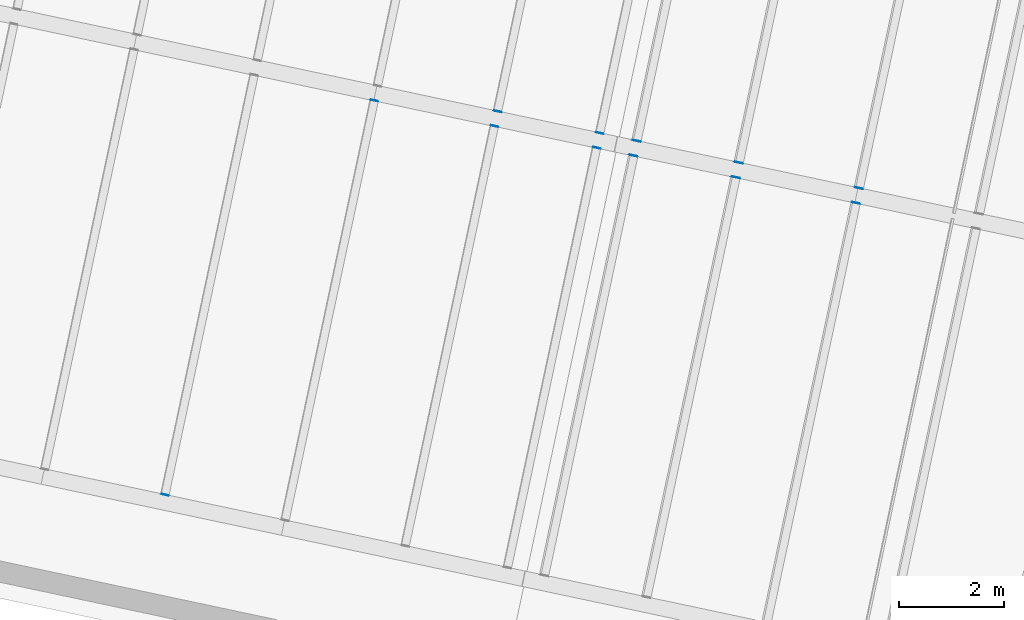
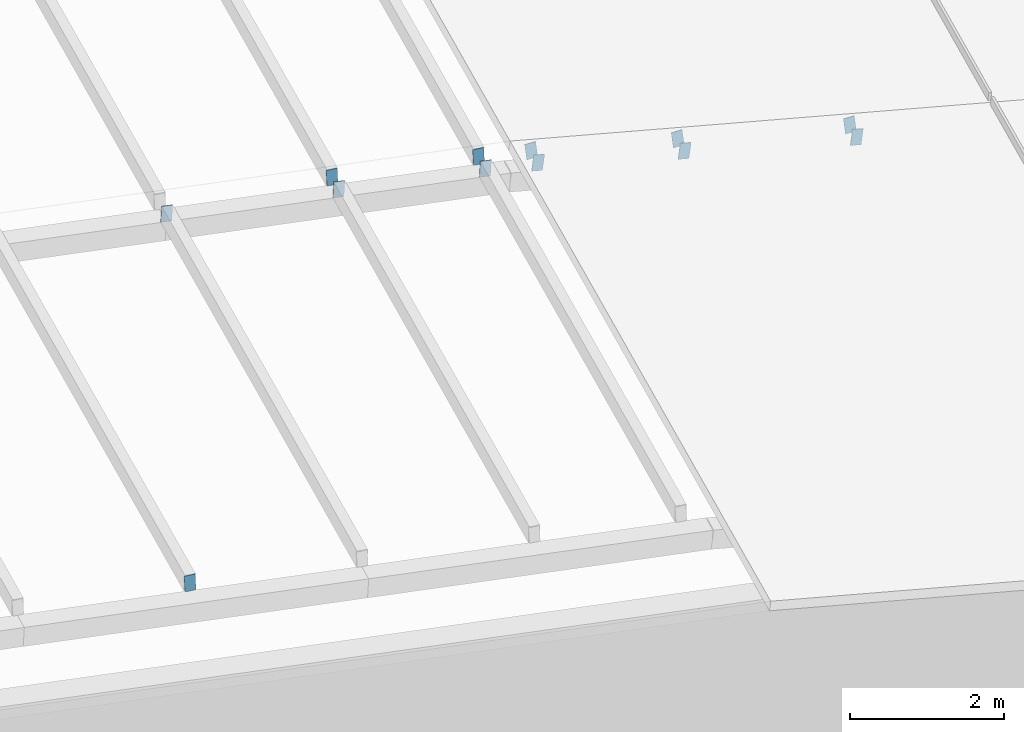
# One storey, part 156 of 196: 12 discrete accessories.
"""IFC4 building model written with IfcOpenShell, lengths in metres."""

from ifc_helpers import new_model, si_unit, direction, frame, origin, origin_2d, place, context, subcontext, project, spatial, rectangle, extrude, material, layer, layer_set, type_object, element, save


model = new_model("IFC4")

# Units and contexts
model_context = context("Model", 3, precision=1e-05, world=origin(), true_north=direction((0.0, 1.0)))
body_context = subcontext(model_context, "Body", "Model", "MODEL_VIEW")
ifc_project = project(units=[si_unit("LENGTHUNIT", "METRE"), si_unit("AREAUNIT", "SQUARE_METRE"), si_unit("VOLUMEUNIT", "CUBIC_METRE"), si_unit("PLANEANGLEUNIT", "RADIAN"), si_unit("MASSUNIT", "GRAM", prefix="KILO")], contexts=[model_context])

# Site, building, storey
site_placement = place(None, origin())
site = spatial("IfcSite", under=ifc_project, at=site_placement, CompositionType="ELEMENT")
building_placement = place(site_placement, origin())
building = spatial("IfcBuilding", under=site, at=building_placement, Name="Okhra Congress Centre", CompositionType="ELEMENT")
storey_placement = place(building_placement, frame((0.0, 0.0, 12.0)))
storey = spatial("IfcBuildingStorey", under=building, at=storey_placement, Name="L02", CompositionType="ELEMENT", Elevation=12.0)

# Discrete accessories
ifc_material = material(Name="Steel S355J2", Category="steel")
ifc_layer = layer(ifc_material, 0.011962890625)
ifc_layer_set = layer_set([ifc_layer], Name="Hollow section end cap 12 mm S355")
discrete_accessory_type = type_object("IfcDiscreteAccessoryType", Name="Hollow section end cap 12 mm S355", PredefinedType="BRACKET", material=ifc_layer_set)
for number, where, z_axis, x_axis, name in (
    (1, (229.87744140625, 89.46630859375, 2.6025390625), (-0.223376156329, -0.974732318528, 0.0), (0.973396481762, -0.22307002707, 0.052335956243), "Hollow section end cap"),
    (2, (233.880859375, 96.99853515625, 2.479248046875), (0.203954254112, 0.978980419738, 0.0), (-0.977638761096, 0.203674741895, 0.052335956243), "Hollow section end cap"),
):
    element("IfcDiscreteAccessory", number, at=place(storey_placement, frame(where, z_axis=z_axis, x_axis=x_axis)), inside=storey, type_object=discrete_accessory_type, Name=name, PredefinedType="BRACKET", context=body_context, shape_type="SweptSolid", body=[
        extrude(rectangle(XDim=0.14990234375, YDim=0.25, at=origin_2d()), origin(), (0.0, 0.0, 1.0), 0.011962890625),
    ])
discrete_accessory_1_placement = place(storey_placement, frame((236.179443359375, 96.509765625, 2.356201171875), z_axis=(0.219038342307, 0.975716252094, 0.0), x_axis=(-0.974379066881, 0.218738157871, 0.052335956243)))
element("IfcDiscreteAccessory", 3, at=discrete_accessory_1_placement, inside=storey, type_object=discrete_accessory_type, Name="Hollow section end cap", PredefinedType="BRACKET", context=body_context, shape_type="SweptSolid", body=[
    extrude(rectangle(XDim=0.14990234375, YDim=0.25, at=origin_2d()), origin(), (0.0, 0.0, 1.0), 0.01220703125),
])
for number, where, z_axis, x_axis, name in (
    (4, (238.1357421875, 96.093994140625, 2.251220703125), (0.223376156329, 0.974732318528, 0.0), (-0.973396481762, 0.22307002707, 0.052335956243), "Hollow section end cap"),
    (5, (238.83935546875, 95.944580078125, 2.188232421875), (0.203954254112, 0.978980419738, 0.0), (-0.971683248143, 0.20243401003, 0.121869343405), "Hollow section end cap"),
    (6, (240.795654296875, 95.52880859375, 1.94287109375), (0.203954254112, 0.978980419738, 0.0), (-0.971683248143, 0.20243401003, 0.121869343405), "Hollow section end cap"),
    (7, (243.09423828125, 95.0400390625, 1.654296875), (0.203954254112, 0.978980419738, 0.0), (-0.971683248143, 0.20243401003, 0.121869343405), "Hollow section end cap"),
    (8, (236.241943359375, 96.80322265625, 2.356201171875), (-0.203954254112, -0.978980419738, 0.0), (0.977638761096, -0.203674741895, 0.052335956243), "Hollow section end cap"),
    (9, (238.1982421875, 96.387451171875, 2.251220703125), (-0.203954254112, -0.978980419738, 0.0), (0.977638761096, -0.203674741895, 0.052335956243), "Hollow section end cap"),
    (10, (238.901611328125, 96.238037109375, 2.188232421875), (-0.203954254112, -0.978980419738, 0.0), (0.971683248143, -0.20243401003, 0.121869343405), "Hollow section end cap"),
):
    element("IfcDiscreteAccessory", number, at=place(storey_placement, frame(where, z_axis=z_axis, x_axis=x_axis)), inside=storey, type_object=discrete_accessory_type, Name=name, PredefinedType="BRACKET", context=body_context, shape_type="SweptSolid", body=[
        extrude(rectangle(XDim=0.14990234375, YDim=0.25, at=origin_2d()), origin(), (0.0, 0.0, 1.0), 0.011962890625),
    ])
discrete_accessory_2_placement = place(storey_placement, frame((240.85791015625, 95.822265625, 1.94287109375), z_axis=(-0.199960011996, -0.97980405878, 0.0), x_axis=(0.972500747905, -0.198469540389, 0.121869343405)))
element("IfcDiscreteAccessory", 11, at=discrete_accessory_2_placement, inside=storey, type_object=discrete_accessory_type, Name="Hollow section end cap", PredefinedType="BRACKET", context=body_context, shape_type="SweptSolid", body=[
    extrude(rectangle(XDim=0.14990234375, YDim=0.25, at=origin_2d()), origin(), (0.0, 0.0, 1.0), 0.01220703125),
])
discrete_accessory_3_placement = place(storey_placement, frame((243.156494140625, 95.33349609375, 1.654296875), z_axis=(-0.203954254112, -0.978980419738, 0.0), x_axis=(0.971683248143, -0.20243401003, 0.121869343405)))
element("IfcDiscreteAccessory", 12, at=discrete_accessory_3_placement, inside=storey, type_object=discrete_accessory_type, Name="Hollow section end cap", PredefinedType="BRACKET", context=body_context, shape_type="SweptSolid", body=[
    extrude(rectangle(XDim=0.14990234375, YDim=0.25, at=origin_2d()), origin(), (0.0, 0.0, 1.0), 0.011962890625),
])

save(model, "model.ifc")
